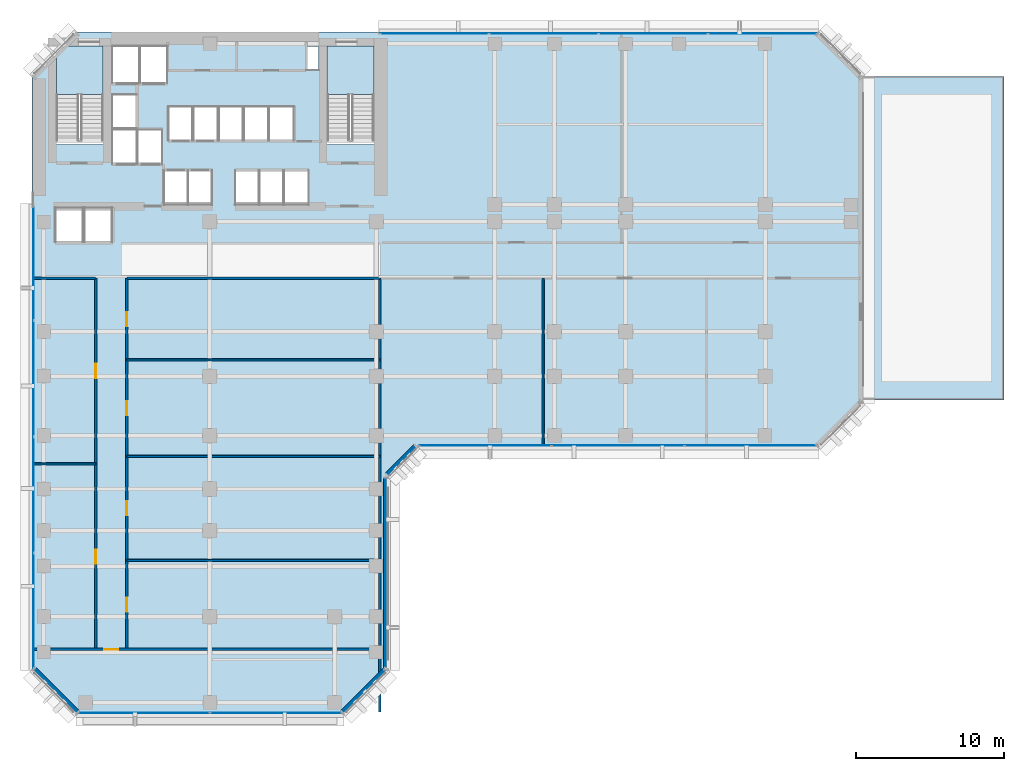
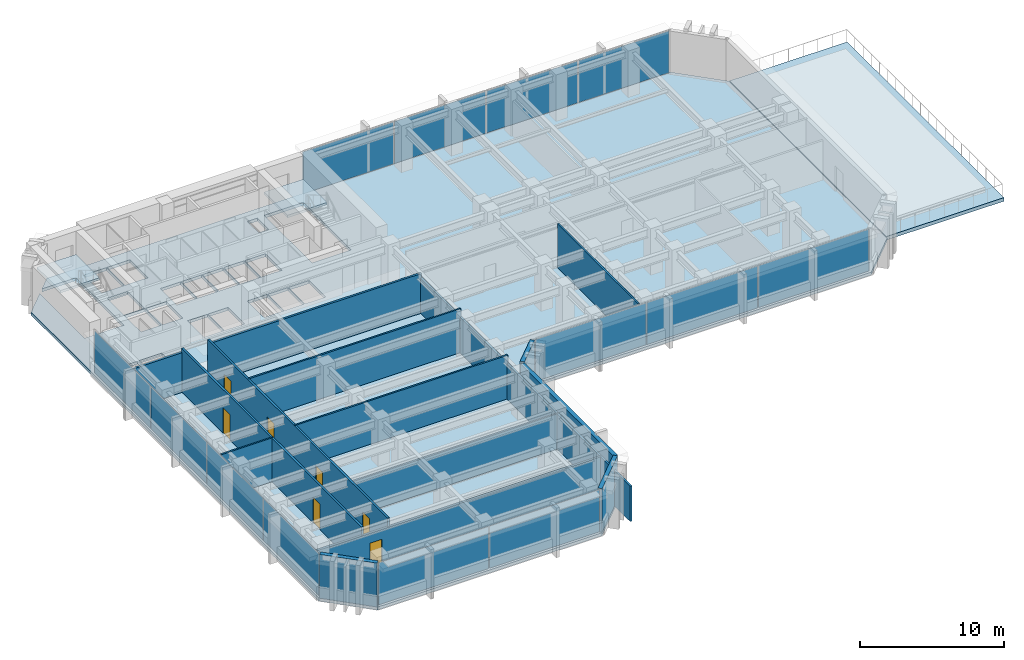
# One storey, part 6 of 13: 15 walls, 13 plates, 7 doors, 4 slabs, 7 openings, 6 elements without a shape of their own.
"""IFC4 building model written with IfcOpenShell, lengths in metres."""

import ifcopenshell
import ifcopenshell.guid

model = None  # the IFC model being written
_history = None  # IfcOwnerHistory: only IFC2X3 demands one
_inside = {}  # id of a spatial element -> (the spatial element, [elements in it])
_under = {}  # id of a project, library or spatial element -> (it, [spatial elements below it])
_declared = {}  # id of a project -> (the project, [libraries it declares])
_typed = {}  # id of a type object -> (the type object, [elements of that type])
_made_of = {}  # id of a material, layer set ... -> (it, [elements and type objects made of it])


def new_model(schema):
    """Start an empty IFC model of exactly this schema.

    Asked for "IFC4X3", IfcOpenShell would pick the latest addendum, in which some entities
    have other attributes; the version numbers below select the first issue.
    IFC2X3 requires an IfcOwnerHistory on every rooted entity: one is made here for all.
    """
    global model, _history
    if schema == "IFC4X3":
        model = ifcopenshell.file(schema_version=(4, 3, 0, 0))
    else:
        model = ifcopenshell.file(schema=schema)
    _inside.clear()
    _under.clear()
    _declared.clear()
    _typed.clear()
    _made_of.clear()
    _history = None
    if model.schema == "IFC2X3":
        org = make("IfcOrganization", Name="unknown")
        user = make(
            "IfcPersonAndOrganization",
            ThePerson=make("IfcPerson", FamilyName="unknown"),
            TheOrganization=org,
        )
        app = make(
            "IfcApplication",
            ApplicationDeveloper=org,
            Version="unknown",
            ApplicationFullName="unknown",
            ApplicationIdentifier="unknown",
        )
        _history = make(
            "IfcOwnerHistory",
            OwningUser=user,
            OwningApplication=app,
            ChangeAction="ADDED",
            CreationDate=0,
        )
    return model


def make(cls, **values):
    """One entity of the class cls with the attributes given. An attribute that is None is left unset."""
    return model.create_entity(
        cls, **{name: value for name, value in values.items() if value is not None}
    )


def rooted(cls, **values):
    """An entity with a GlobalId (a new one), such as an element, a storey or a relation."""
    return make(cls, GlobalId=ifcopenshell.guid.new(), OwnerHistory=_history, **values)


def si_unit(unit_type, name, prefix=None):
    """IfcSIUnit, for example si_unit("LENGTHUNIT", "METRE", prefix="MILLI")."""
    return make("IfcSIUnit", UnitType=unit_type, Prefix=prefix, Name=name)


def assignment(units):
    """IfcUnitAssignment: the units of a project."""
    return None if units is None else make("IfcUnitAssignment", Units=units)


def point(xyz):
    """IfcCartesianPoint."""
    return None if xyz is None else make("IfcCartesianPoint", Coordinates=xyz)


def direction(xyz):
    """IfcDirection."""
    return None if xyz is None else make("IfcDirection", DirectionRatios=xyz)


def frame(location, z_axis=None, x_axis=None):
    """IfcAxis2Placement3D, a coordinate frame: its origin and axes. An axis left out is left unset."""
    return make(
        "IfcAxis2Placement3D",
        Location=point(location),
        Axis=direction(z_axis),
        RefDirection=direction(x_axis),
    )


def frame_2d(location, x_axis=None):
    """IfcAxis2Placement2D, a coordinate frame in the plane: its origin and x axis."""
    return make(
        "IfcAxis2Placement2D", Location=point(location), RefDirection=direction(x_axis)
    )


def origin():
    """The frame at (0, 0, 0) with its axes left unset."""
    return frame((0.0, 0.0, 0.0))


def origin_2d():
    """The frame at (0, 0) in the plane with its x axis left unset."""
    return frame_2d((0.0, 0.0))


def place(relative_to, where):
    """IfcLocalPlacement: puts the frame where relative to a parent placement (None: the world)."""
    return make(
        "IfcLocalPlacement", PlacementRelTo=relative_to, RelativePlacement=where
    )


def context(
    kind, dimensions, precision=None, world=None, true_north=None, identifier=None
):
    """IfcGeometricRepresentationContext, for example the 3D "Model" context."""
    return make(
        "IfcGeometricRepresentationContext",
        ContextIdentifier=identifier,
        ContextType=kind,
        CoordinateSpaceDimension=dimensions,
        Precision=precision,
        WorldCoordinateSystem=world,
        TrueNorth=true_north,
    )


def subcontext(parent, identifier, kind, view, scale=None):
    """IfcGeometricRepresentationSubContext, for example "Body" below "Model"."""
    return make(
        "IfcGeometricRepresentationSubContext",
        ContextIdentifier=identifier,
        ContextType=kind,
        ParentContext=parent,
        TargetScale=scale,
        TargetView=view,
    )


def project(units=None, contexts=None):
    """IfcProject with its units and contexts."""
    return rooted(
        "IfcProject",
        Name="project",
        RepresentationContexts=contexts,
        UnitsInContext=assignment(units),
    )


def spatial(cls, under=None, at=None, **own):
    """A site, building, storey or space (cls), placed at a placement, below another one or the project."""
    s = rooted(cls, ObjectPlacement=at, **own)
    if under is not None:
        _under.setdefault(under.id(), (under, []))[1].append(s)
    return s


def polyline(points):
    """IfcPolyline through the points."""
    return make("IfcPolyline", Points=[point(p) for p in points])


def profile(cls, at=None, kind="AREA", **sizes):
    """A parametric profile (cls). Its sizes go by their IFC names, for example OverallWidth=200.0."""
    return make(cls, ProfileType=kind, Position=at, **sizes)


def rectangle(**sizes):
    """IfcRectangleProfileDef."""
    return profile("IfcRectangleProfileDef", **sizes)


def outline(outer, holes=None, kind="AREA"):
    """IfcArbitraryClosedProfileDef: a profile drawn as a closed curve; with holes, ...WithVoids."""
    if holes is None:
        return make("IfcArbitraryClosedProfileDef", ProfileType=kind, OuterCurve=outer)
    return make(
        "IfcArbitraryProfileDefWithVoids",
        ProfileType=kind,
        OuterCurve=outer,
        InnerCurves=holes,
    )


def extrude(swept, where, along, depth):
    """IfcExtrudedAreaSolid: the profile swept, set in the frame where, extruded along a direction by depth."""
    return make(
        "IfcExtrudedAreaSolid",
        SweptArea=swept,
        Position=where,
        ExtrudedDirection=direction(along),
        Depth=depth,
    )


def shape(context_of_items, identifier, shape_type, items):
    """IfcShapeRepresentation: the items that make up one representation, for example the "Body"."""
    return make(
        "IfcShapeRepresentation",
        ContextOfItems=context_of_items,
        RepresentationIdentifier=identifier,
        RepresentationType=shape_type,
        Items=items,
    )


def material(Name=None, Category=None):
    """IfcMaterial."""
    return make("IfcMaterial", Name=Name, Category=Category)


def layer(
    of_material, thickness, ventilated=None, Name=None, Category=None, Priority=None
):
    """IfcMaterialLayer: one layer of a wall or slab, of a material (None: an air gap)."""
    return make(
        "IfcMaterialLayer",
        Material=of_material,
        LayerThickness=thickness,
        IsVentilated=ventilated,
        Name=Name,
        Category=Category,
        Priority=Priority,
    )


def layer_set(layers, Name=None):
    """IfcMaterialLayerSet."""
    return make("IfcMaterialLayerSet", MaterialLayers=layers, LayerSetName=Name)


def made_of(thing, what):
    """Note that an element or type object is made of a material, layer set ...; save() writes the relation."""
    if what is not None:
        _made_of.setdefault(what.id(), (what, []))[1].append(thing)
    return thing


def type_object(cls, material=None, **own):
    """A type object (cls), such as IfcWallType, which elements share."""
    return made_of(rooted(cls, **own), material)


def element(
    cls,
    number,
    at=None,
    inside=None,
    cuts=None,
    type_object=None,
    material=None,
    context=None,
    identifier="Body",
    shape_type=None,
    held_by="IfcProductDefinitionShape",
    body=None,
    shapes=None,
    **own,
):
    """One element of the class cls, such as IfcWall. Its Tag is "e" and its number.

    at: its placement. inside: the storey or other place that contains it. cuts: it is an
    opening in that element (IfcRelVoidsElement). A single representation is given by context,
    identifier, shape_type and body (its items); several are given by shapes. held_by: the class
    of the entity that holds the representations. save() writes the other relations.
    """
    e = rooted(cls, Tag="e%d" % number, ObjectPlacement=at, **own)
    if body is not None:
        shapes = [shape(context, identifier, shape_type, body)]
    if shapes is not None:
        e.Representation = make(held_by, Representations=shapes)
    if inside is not None:
        _inside.setdefault(inside.id(), (inside, []))[1].append(e)
    if cuts is not None:
        rooted(
            "IfcRelVoidsElement", RelatingBuildingElement=cuts, RelatedOpeningElement=e
        )
    if type_object is not None:
        _typed.setdefault(type_object.id(), (type_object, []))[1].append(e)
    return made_of(e, material)


def fill(opening, filler):
    """IfcRelFillsElement: the door or window that sits in an opening."""
    return rooted(
        "IfcRelFillsElement",
        RelatingOpeningElement=opening,
        RelatedBuildingElement=filler,
    )


def aggregate(whole, parts):
    """IfcRelAggregates: a whole, such as a stair, and the parts it consists of."""
    return rooted("IfcRelAggregates", RelatingObject=whole, RelatedObjects=parts)


def save(model, path):
    """Write the relations noted so far, then the file.

    IfcRelAggregates (storeys below a building ...), IfcRelContainedInSpatialStructure (elements
    in a storey), IfcRelDefinesByType, IfcRelAssociatesMaterial and IfcRelDeclares: one each for
    every whole, place, type object, material and project.
    """
    for whole, parts in _under.values():
        aggregate(whole, parts)
    for where, things in _inside.values():
        rooted(
            "IfcRelContainedInSpatialStructure",
            RelatedElements=things,
            RelatingStructure=where,
        )
    for kind, things in _typed.values():
        rooted("IfcRelDefinesByType", RelatedObjects=things, RelatingType=kind)
    for what, things in _made_of.values():
        rooted("IfcRelAssociatesMaterial", RelatedObjects=things, RelatingMaterial=what)
    for by, libraries in _declared.values():
        rooted("IfcRelDeclares", RelatingContext=by, RelatedDefinitions=libraries)
    model.write(path)


model = new_model("IFC4")

# Units and contexts
model_context = context("Model", 3, precision=1e-05, world=origin(), true_north=direction((0.0, 1.0)))
body_context = subcontext(model_context, "Body", "Model", "MODEL_VIEW")
ifc_project = project(units=[si_unit("LENGTHUNIT", "METRE"), si_unit("AREAUNIT", "SQUARE_METRE"), si_unit("VOLUMEUNIT", "CUBIC_METRE"), si_unit("PLANEANGLEUNIT", "RADIAN"), si_unit("MASSUNIT", "GRAM", prefix="KILO")], contexts=[model_context])

# Site, building, storey
site_placement = place(None, origin())
site = spatial("IfcSite", under=ifc_project, at=site_placement, CompositionType="ELEMENT")
building_placement = place(site_placement, origin())
building = spatial("IfcBuilding", under=site, at=building_placement, Name="Kefirva Bronze Tower", CompositionType="ELEMENT")
storey_placement = place(building_placement, frame((0.0, 0.0, 30.360107421875)))
storey = spatial("IfcBuildingStorey", under=building, at=storey_placement, Name="L06", CompositionType="ELEMENT", Elevation=30.360107421875)

# Slab
ifc_material_1 = material(Name="Concrete C40/50", Category="concrete")
ifc_layer_1 = layer(ifc_material_1, 0.300048828125, Name="Concrete C40/50")
ifc_layer_set_1 = layer_set([ifc_layer_1], Name="Concrete C40/50")
slab_type_1 = type_object("IfcSlabType", Name="RC Podium Outdoor Terrace Slab 300mm", PredefinedType="ROOF", material=ifc_layer_set_1)
slab_1_placement = place(storey_placement, frame((0.0, 0.0, -0.300048828125)))
element("IfcSlab", 1, at=slab_1_placement, inside=storey, type_object=slab_type_1, Name="L06 Planted Sky-Garden Terrace Slab", PredefinedType="ROOF", context=body_context, shape_type="SweptSolid", body=[
    extrude(outline(polyline([(56.050048828125, 21.199951171875), (65.5, 21.199951171875), (65.5, 43.0), (56.050048828125, 43.0), (56.050048828125, 21.199951171875)])), origin(), (0.0, 0.0, 1.0), 0.300048828125),
])

# Stair, slab
stair_type = type_object("IfcStairType", Name="RC Dogleg Protected Stair 24R", PredefinedType="HALF_TURN_STAIR", material=ifc_material_1)
stair_1_placement = place(storey_placement, origin())
stair_1 = element("IfcStair", 2, at=stair_1_placement, inside=storey, type_object=stair_type, Name="L06 Protected Exit Stair 1", PredefinedType="HALF_TURN_STAIR")
ifc_layer_2 = layer(ifc_material_1, 0.199951171875, Name="Concrete C40/50")
ifc_layer_set_2 = layer_set([ifc_layer_2], Name="Concrete C40/50")
slab_type_2 = type_object("IfcSlabType", Name="RC Stair Landing Slab 200mm", PredefinedType="LANDING", material=ifc_layer_set_2)
slab_2_placement = place(storey_placement, frame((0.0, 0.0, 1.77978515625)))
slab_2 = element("IfcSlab", 3, at=slab_2_placement, type_object=slab_type_2, Name="ST-1 landing 1", PredefinedType="LANDING", context=body_context, shape_type="SweptSolid", body=[
    extrude(outline(polyline([(4.800048828125, 41.780029296875), (4.800048828125, 45.050048828125), (1.64990234375, 45.050048828125), (1.64990234375, 41.780029296875), (4.800048828125, 41.780029296875)])), origin(), (0.0, 0.0, 1.0), 0.2001953125),
])
aggregate(stair_1, [slab_2])

stair_2_placement = place(storey_placement, origin())
stair_2 = element("IfcStair", 4, at=stair_2_placement, inside=storey, type_object=stair_type, Name="L06 Protected Exit Stair 2", PredefinedType="HALF_TURN_STAIR")
slab_3_placement = place(storey_placement, frame((0.0, 0.0, 1.77978515625)))
slab_3 = element("IfcSlab", 5, at=slab_3_placement, type_object=slab_type_2, Name="ST-2 landing 1", PredefinedType="LANDING", context=body_context, shape_type="SweptSolid", body=[
    extrude(outline(polyline([(23.050048828125, 41.780029296875), (23.050048828125, 45.050048828125), (19.89990234375, 45.050048828125), (19.89990234375, 41.780029296875), (23.050048828125, 41.780029296875)])), origin(), (0.0, 0.0, 1.0), 0.2001953125),
])
aggregate(stair_2, [slab_3])

# Slab
ifc_layer_3 = layer(ifc_material_1, 0.25, Name="Concrete C40/50")
ifc_layer_set_3 = layer_set([ifc_layer_3], Name="Concrete C40/50")
slab_type_3 = type_object("IfcSlabType", Name="RC Tower Floor Slab 250mm", PredefinedType="FLOOR", material=ifc_layer_set_3)
slab_4_placement = place(storey_placement, frame((0.0, 0.0, -0.25)))
element("IfcSlab", 6, at=slab_4_placement, inside=storey, type_object=slab_type_3, Name="L06 Structural Floor Slab", PredefinedType="FLOOR", context=body_context, shape_type="SweptSolid", body=[
    extrude(outline(polyline([(0.0, 3.0), (0.0, 43.0), (1.64990234375, 44.64990234375), (1.64990234375, 38.39990234375), (4.800048828125, 38.39990234375), (4.800048828125, 45.050048828125), (2.050048828125, 45.050048828125), (3.0, 46.0), (53.0, 46.0), (56.0, 43.0), (56.0, 21.0), (53.0, 18.0), (26.0, 18.0), (24.0, 16.0), (24.0, 3.0), (21.0, 0.0), (3.0, 0.0), (0.0, 3.0)]), holes=[polyline([(19.89990234375, 38.39990234375), (23.050048828125, 38.39990234375), (23.050048828125, 45.050048828125), (19.89990234375, 45.050048828125), (19.89990234375, 38.39990234375)]), polyline([(18.52001953125, 43.419921875), (19.320068359375, 43.419921875), (19.320068359375, 45.0), (18.52001953125, 45.0), (18.52001953125, 43.419921875)]), polyline([(17.0, 34.35009765625), (18.64990234375, 34.35009765625), (18.64990234375, 36.64990234375), (17.0, 36.64990234375), (17.0, 34.35009765625)]), polyline([(17.64990234375, 38.679931640625), (17.64990234375, 40.97998046875), (16.0, 40.97998046875), (16.0, 38.679931640625), (17.64990234375, 38.679931640625)]), polyline([(16.949951171875, 34.35009765625), (16.949951171875, 36.64990234375), (15.35009765625, 36.64990234375), (15.35009765625, 34.35009765625), (16.949951171875, 34.35009765625)]), polyline([(15.929931640625, 38.679931640625), (15.929931640625, 40.97998046875), (14.300048828125, 40.97998046875), (14.300048828125, 38.679931640625), (15.929931640625, 38.679931640625)]), polyline([(15.300048828125, 34.35009765625), (15.300048828125, 36.64990234375), (13.699951171875, 36.64990234375), (13.699951171875, 34.35009765625), (15.300048828125, 34.35009765625)]), polyline([(14.22998046875, 38.679931640625), (14.22998046875, 40.97998046875), (12.60009765625, 40.97998046875), (12.60009765625, 38.679931640625), (14.22998046875, 38.679931640625)]), polyline([(10.89990234375, 38.679931640625), (12.530029296875, 38.679931640625), (12.530029296875, 40.97998046875), (10.89990234375, 40.97998046875), (10.89990234375, 38.679931640625)]), polyline([(12.139892578125, 34.35009765625), (12.139892578125, 36.64990234375), (10.5400390625, 36.64990234375), (10.5400390625, 34.35009765625), (12.139892578125, 34.35009765625)]), polyline([(10.830078125, 38.679931640625), (10.830078125, 40.97998046875), (9.199951171875, 40.97998046875), (9.199951171875, 38.679931640625), (10.830078125, 38.679931640625)]), polyline([(10.5, 34.35009765625), (10.5, 36.64990234375), (8.89990234375, 36.64990234375), (8.89990234375, 34.35009765625), (10.5, 34.35009765625)]), polyline([(7.300048828125, 42.550048828125), (9.1201171875, 42.550048828125), (9.1201171875, 45.050048828125), (7.300048828125, 45.050048828125), (7.300048828125, 42.550048828125)]), polyline([(7.139892578125, 37.10009765625), (8.780029296875, 37.10009765625), (8.780029296875, 39.39990234375), (7.139892578125, 39.39990234375), (7.139892578125, 37.10009765625)]), polyline([(5.419921875, 42.550048828125), (7.239990234375, 42.550048828125), (7.239990234375, 45.050048828125), (5.419921875, 45.050048828125), (5.419921875, 42.550048828125)]), polyline([(7.06005859375, 39.47998046875), (7.06005859375, 41.780029296875), (5.419921875, 41.780029296875), (5.419921875, 39.47998046875), (7.06005859375, 39.47998046875)]), polyline([(5.419921875, 37.10009765625), (7.06005859375, 37.10009765625), (7.06005859375, 39.39990234375), (5.419921875, 39.39990234375), (5.419921875, 37.10009765625)]), polyline([(5.39990234375, 31.85009765625), (5.39990234375, 34.14990234375), (3.550048828125, 34.14990234375), (3.550048828125, 31.85009765625), (5.39990234375, 31.85009765625)]), polyline([(3.449951171875, 31.85009765625), (3.449951171875, 34.14990234375), (1.60009765625, 34.14990234375), (1.60009765625, 31.85009765625), (3.449951171875, 31.85009765625)])]), origin(), (0.0, 0.0, 1.0), 0.25),
])

# Curtain wall, plates
ifc_material_2 = material(Name="Bronze anodised aluminium", Category="aluminium")
ifc_layer_4 = layer(ifc_material_2, 0.199951171875, Name="Bronze anodised aluminium")
ifc_layer_set_4 = layer_set([ifc_layer_4], Name="Bronze anodised aluminium")
curtain_wall_type = type_object("IfcCurtainWallType", Name="Unitised Bronze Ribbon Curtain Wall Zone 1", PredefinedType="USERDEFINED", material=ifc_layer_set_4)
curtain_wall_1_placement = place(storey_placement, origin())
curtain_wall_1 = element("IfcCurtainWall", 7, at=curtain_wall_1_placement, inside=storey, type_object=curtain_wall_type, Name="L06 Curtain Wall 1", ObjectType="UNITISED CURTAIN WALL", PredefinedType="USERDEFINED")
ifc_material_3 = material(Name="Laminated low-E double glazing", Category="glass")
ifc_layer_5 = layer(ifc_material_3, 0.031982421875, Name="Laminated low-E double glazing")
ifc_layer_set_5 = layer_set([ifc_layer_5], Name="Laminated low-E double glazing")
plate_type = type_object("IfcPlateType", Name="Solar-Control Low-E Vision Panel 32mm", PredefinedType="CURTAIN_PANEL", material=ifc_layer_set_5)
plate_1_placement = place(storey_placement, frame((7.546142578125, 0.1201171875, 0.074951171875), z_axis=(0.0, 0.0, 1.0), x_axis=(1.0, 0.0, 0.0)))
plate_1 = element("IfcPlate", 8, at=plate_1_placement, type_object=plate_type, Name="CW-01 panel 1.1", PredefinedType="CURTAIN_PANEL", context=body_context, shape_type="SweptSolid", body=[
    extrude(rectangle(XDim=8.83251953125, YDim=0.031982421875, at=origin_2d()), origin(), (0.0, 0.0, 1.0), 3.56005859375),
])
plate_2_placement = place(storey_placement, frame((16.453857421875, 0.1201171875, 0.074951171875), z_axis=(0.0, 0.0, 1.0), x_axis=(1.0, 0.0, 0.0)))
plate_2 = element("IfcPlate", 9, at=plate_2_placement, type_object=plate_type, Name="CW-01 panel 2.1", PredefinedType="CURTAIN_PANEL", context=body_context, shape_type="SweptSolid", body=[
    extrude(rectangle(XDim=8.83251953125, YDim=0.031982421875, at=origin_2d()), origin(), (0.0, 0.0, 1.0), 3.56005859375),
])
aggregate(curtain_wall_1, [plate_1, plate_2])

curtain_wall_2_placement = place(storey_placement, origin())
curtain_wall_2 = element("IfcCurtainWall", 10, at=curtain_wall_2_placement, inside=storey, type_object=curtain_wall_type, Name="L06 Curtain Wall 2", ObjectType="UNITISED CURTAIN WALL", PredefinedType="USERDEFINED")
plate_3_placement = place(storey_placement, frame((30.555419921875, 18.1201171875, 0.074951171875), z_axis=(0.0, 0.0, 1.0), x_axis=(1.0, 0.0, 0.0)))
plate_3 = element("IfcPlate", 11, at=plate_3_placement, type_object=plate_type, Name="CW-01 panel 1.1", PredefinedType="CURTAIN_PANEL", context=body_context, shape_type="SweptSolid", body=[
    extrude(rectangle(XDim=8.850830078125, YDim=0.031982421875, at=origin_2d()), origin(), (0.0, 0.0, 1.0), 3.56005859375),
])
plate_4_placement = place(storey_placement, frame((39.5, 18.1201171875, 0.074951171875), z_axis=(0.0, 0.0, 1.0), x_axis=(1.0, 0.0, 0.0)))
plate_4 = element("IfcPlate", 12, at=plate_4_placement, type_object=plate_type, Name="CW-01 panel 2.1", PredefinedType="CURTAIN_PANEL", context=body_context, shape_type="SweptSolid", body=[
    extrude(rectangle(XDim=8.888427734375, YDim=0.031982421875, at=origin_2d()), origin(), (0.0, 0.0, 1.0), 3.56005859375),
])
plate_5_placement = place(storey_placement, frame((48.444580078125, 18.1201171875, 0.074951171875), z_axis=(0.0, 0.0, 1.0), x_axis=(1.0, 0.0, 0.0)))
plate_5 = element("IfcPlate", 13, at=plate_5_placement, type_object=plate_type, Name="CW-01 panel 3.1", PredefinedType="CURTAIN_PANEL", context=body_context, shape_type="SweptSolid", body=[
    extrude(rectangle(XDim=8.850830078125, YDim=0.031982421875, at=origin_2d()), origin(), (0.0, 0.0, 1.0), 3.56005859375),
])
aggregate(curtain_wall_2, [plate_3, plate_4, plate_5])

curtain_wall_3_placement = place(storey_placement, origin())
curtain_wall_3 = element("IfcCurtainWall", 14, at=curtain_wall_3_placement, inside=storey, type_object=curtain_wall_type, Name="L06 Curtain Wall 3", ObjectType="UNITISED CURTAIN WALL", PredefinedType="USERDEFINED")
plate_6_placement = place(storey_placement, frame((49.233642578125, 45.8798828125, 0.074951171875), z_axis=(0.0, 0.0, 1.0), x_axis=(-1.0, 0.0, 0.0)))
plate_6 = element("IfcPlate", 15, at=plate_6_placement, type_object=plate_type, Name="CW-01 panel 1.1", PredefinedType="CURTAIN_PANEL", context=body_context, shape_type="SweptSolid", body=[
    extrude(rectangle(XDim=7.2724609375, YDim=0.031982421875, at=origin_2d()), origin(), (0.0, 0.0, 1.0), 3.56005859375),
])
plate_7_placement = place(storey_placement, frame((41.867431640625, 45.8798828125, 0.074951171875), z_axis=(0.0, 0.0, 1.0), x_axis=(-1.0, 0.0, 0.0)))
plate_7 = element("IfcPlate", 16, at=plate_7_placement, type_object=plate_type, Name="CW-01 panel 2.1", PredefinedType="CURTAIN_PANEL", context=body_context, shape_type="SweptSolid", body=[
    extrude(rectangle(XDim=7.31005859375, YDim=0.031982421875, at=origin_2d()), origin(), (0.0, 0.0, 1.0), 3.56005859375),
])
plate_8_placement = place(storey_placement, frame((34.482421875, 45.8798828125, 0.074951171875), z_axis=(0.0, 0.0, 1.0), x_axis=(-1.0, 0.0, 0.0)))
plate_8 = element("IfcPlate", 17, at=plate_8_placement, type_object=plate_type, Name="CW-01 panel 3.1", PredefinedType="CURTAIN_PANEL", context=body_context, shape_type="SweptSolid", body=[
    extrude(rectangle(XDim=7.31005859375, YDim=0.031982421875, at=origin_2d()), origin(), (0.0, 0.0, 1.0), 3.56005859375),
])
plate_9_placement = place(storey_placement, frame((27.1162109375, 45.8798828125, 0.074951171875), z_axis=(0.0, 0.0, 1.0), x_axis=(-1.0, 0.0, 0.0)))
plate_9 = element("IfcPlate", 18, at=plate_9_placement, type_object=plate_type, Name="CW-01 panel 4.1", PredefinedType="CURTAIN_PANEL", context=body_context, shape_type="SweptSolid", body=[
    extrude(rectangle(XDim=7.2724609375, YDim=0.031982421875, at=origin_2d()), origin(), (0.0, 0.0, 1.0), 3.56005859375),
])
aggregate(curtain_wall_3, [plate_6, plate_7, plate_8, plate_9])

curtain_wall_4_placement = place(storey_placement, origin())
curtain_wall_4 = element("IfcCurtainWall", 19, at=curtain_wall_4_placement, inside=storey, type_object=curtain_wall_type, Name="L06 Curtain Wall 4", ObjectType="UNITISED CURTAIN WALL", PredefinedType="USERDEFINED")
plate_10_placement = place(storey_placement, frame((0.1201171875, 30.458740234375, 0.074951171875), z_axis=(0.0, 0.0, 1.0), x_axis=(0.0, -1.0, 0.0)))
plate_10 = element("IfcPlate", 20, at=plate_10_placement, type_object=plate_type, Name="CW-01 panel 1.1", PredefinedType="CURTAIN_PANEL", context=body_context, shape_type="SweptSolid", body=[
    extrude(rectangle(XDim=7.722412109375, YDim=0.031982421875, at=origin_2d()), origin(), (0.0, 0.0, 1.0), 3.56005859375),
])
plate_11_placement = place(storey_placement, frame((0.1201171875, 22.642578125, 0.074951171875), z_axis=(0.0, 0.0, 1.0), x_axis=(0.0, -1.0, 0.0)))
plate_11 = element("IfcPlate", 21, at=plate_11_placement, type_object=plate_type, Name="CW-01 panel 2.1", PredefinedType="CURTAIN_PANEL", context=body_context, shape_type="SweptSolid", body=[
    extrude(rectangle(XDim=7.760009765625, YDim=0.031982421875, at=origin_2d()), origin(), (0.0, 0.0, 1.0), 3.56005859375),
])
plate_12_placement = place(storey_placement, frame((0.1201171875, 14.8076171875, 0.074951171875), z_axis=(0.0, 0.0, 1.0), x_axis=(0.0, -1.0, 0.0)))
plate_12 = element("IfcPlate", 22, at=plate_12_placement, type_object=plate_type, Name="CW-01 panel 3.1", PredefinedType="CURTAIN_PANEL", context=body_context, shape_type="SweptSolid", body=[
    extrude(rectangle(XDim=7.760009765625, YDim=0.031982421875, at=origin_2d()), origin(), (0.0, 0.0, 1.0), 3.56005859375),
])
plate_13_placement = place(storey_placement, frame((0.1201171875, 6.9912109375, 0.074951171875), z_axis=(0.0, 0.0, 1.0), x_axis=(0.0, -1.0, 0.0)))
plate_13 = element("IfcPlate", 23, at=plate_13_placement, type_object=plate_type, Name="CW-01 panel 4.1", PredefinedType="CURTAIN_PANEL", context=body_context, shape_type="SweptSolid", body=[
    extrude(rectangle(XDim=7.722412109375, YDim=0.031982421875, at=origin_2d()), origin(), (0.0, 0.0, 1.0), 3.56005859375),
])
aggregate(curtain_wall_4, [plate_10, plate_11, plate_12, plate_13])

# Walls
ifc_material_4 = material(Name="Gypsum acoustic partition")
ifc_layer_6 = layer(ifc_material_4, 0.1298828125, Name="Gypsum acoustic partition")
ifc_layer_set_6 = layer_set([ifc_layer_6], Name="Gypsum acoustic partition")
wall_type_1 = type_object("IfcWallType", Name="Acoustic Office Partition 130mm", PredefinedType="PARTITIONING", material=ifc_layer_set_6)
wall_1_placement = place(storey_placement, frame((0.18994140625, 16.89501953125, 0.0), z_axis=(0.0, 0.0, 1.0), x_axis=(1.0, 0.0, 0.0)))
element("IfcWall", 24, at=wall_1_placement, inside=storey, type_object=wall_type_1, Name="L06 Partition W-L06-SWD1", PredefinedType="PARTITIONING", context=body_context, shape_type="SweptSolid", body=[
    extrude(rectangle(XDim=4.110107421875, YDim=0.1298828125, at=frame_2d((2.05517578125, 0.0))), origin(), (0.0, 0.0, 1.0), 3.7099609375),
])
wall_2_placement = place(storey_placement, frame((6.39990234375, 10.392333984375, 0.0), z_axis=(0.0, 0.0, 1.0), x_axis=(1.0, 0.0, 0.0)))
element("IfcWall", 25, at=wall_2_placement, inside=storey, type_object=wall_type_1, Name="L06 Partition W-L06-SED1", PredefinedType="PARTITIONING", context=body_context, shape_type="SweptSolid", body=[
    extrude(rectangle(XDim=17.050048828125, YDim=0.1298828125, at=frame_2d((8.52490234375, 0.0))), origin(), (0.0, 0.0, 1.0), 2.994873046875),
])
for number, where, z_axis, x_axis, name in (
    (26, (6.39990234375, 17.395263671875, 0.0), (0.0, 0.0, 1.0), (1.0, 0.0, 0.0), "L06 Partition W-L06-SED2"),
    (27, (6.39990234375, 23.897705078125, 0.0), (0.0, 0.0, 1.0), (1.0, 0.0, 0.0), "L06 Partition W-L06-SED3"),
):
    element("IfcWall", number, at=place(storey_placement, frame(where, z_axis=z_axis, x_axis=x_axis)), inside=storey, type_object=wall_type_1, Name=name, PredefinedType="PARTITIONING", context=body_context, shape_type="SweptSolid", body=[
        extrude(rectangle(XDim=17.050048828125, YDim=0.1298828125, at=frame_2d((8.52490234375, 0.0))), origin(), (0.0, 0.0, 1.0), 3.7099609375),
    ])
wall_3_placement = place(storey_placement, frame((34.452392578125, 18.18994140625, 0.0), z_axis=(0.0, 0.0, 1.0), x_axis=(0.0, 1.0, 0.0)))
element("IfcWall", 28, at=wall_3_placement, inside=storey, type_object=wall_type_1, Name="L06 Partition W-L06-ESD1", PredefinedType="PARTITIONING", context=body_context, shape_type="SweptSolid", body=[
    extrude(rectangle(XDim=11.2099609375, YDim=0.1298828125, at=frame_2d((5.60498046875, 0.0))), origin(), (0.0, 0.0, 1.0), 3.7099609375),
])
ifc_material_5 = material(Name="Precast concrete C40/50", Category="concrete")
ifc_layer_7 = layer(ifc_material_5, 0.320068359375, Name="Precast concrete C40/50")
ifc_layer_set_7 = layer_set([ifc_layer_7], Name="Precast concrete C40/50")
wall_type_2 = type_object("IfcWallType", Name="Precast Insulated Exterior Wall 320mm", PredefinedType="SOLIDWALL", material=ifc_layer_set_7)
wall_4_placement = place(storey_placement, frame((20.92578125, 0.152099609375, 0.0), z_axis=(0.0, 0.0, 1.0), x_axis=(0.707106781187, 0.707106781187, 0.0)))
element("IfcWall", 29, at=wall_4_placement, inside=storey, type_object=wall_type_2, Name="L06 Exterior Facade Wall 1", PredefinedType="SOLIDWALL", context=body_context, shape_type="SweptSolid", body=[
    extrude(rectangle(XDim=4.132568359375, YDim=0.320068359375, at=frame_2d((2.06640625, 0.0))), origin(), (0.0, 0.0, 1.0), 3.7099609375),
])
wall_5_placement = place(storey_placement, frame((23.840087890625, 3.054931640625, 0.0), z_axis=(0.0, 0.0, 1.0), x_axis=(0.0, 1.0, 0.0)))
element("IfcWall", 30, at=wall_5_placement, inside=storey, type_object=wall_type_2, Name="L06 Exterior Facade Wall 2", PredefinedType="SOLIDWALL", context=body_context, shape_type="SweptSolid", body=[
    extrude(rectangle(XDim=12.89013671875, YDim=0.320068359375, at=frame_2d((6.445068359375, 0.0))), origin(), (0.0, 0.0, 1.0), 3.7099609375),
])
wall_6_placement = place(storey_placement, frame((23.92578125, 16.152099609375, 0.0), z_axis=(0.0, 0.0, 1.0), x_axis=(0.707106781187, 0.707106781187, 0.0)))
element("IfcWall", 31, at=wall_6_placement, inside=storey, type_object=wall_type_2, Name="L06 Exterior Facade Wall 3", PredefinedType="SOLIDWALL", context=body_context, shape_type="SweptSolid", body=[
    extrude(rectangle(XDim=2.71826171875, YDim=0.320068359375, at=frame_2d((1.359130859375, 0.0))), origin(), (0.0, 0.0, 1.0), 3.7099609375),
])
wall_7_placement = place(storey_placement, frame((0.152099609375, 3.07421875, 0.0), z_axis=(0.0, 0.0, 1.0), x_axis=(0.707106781187, -0.707106781187, 0.0)))
element("IfcWall", 32, at=wall_7_placement, inside=storey, type_object=wall_type_2, Name="L06 Exterior Facade Wall 8", PredefinedType="SOLIDWALL", context=body_context, shape_type="SweptSolid", body=[
    extrude(rectangle(XDim=4.132568359375, YDim=0.320068359375, at=frame_2d((2.06640625, 0.0))), origin(), (0.0, 0.0, 1.0), 3.7099609375),
])

# Wall, openings, doors
ifc_layer_8 = layer(ifc_material_4, 0.159912109375, Name="Gypsum acoustic partition")
ifc_layer_set_8 = layer_set([ifc_layer_8], Name="Gypsum acoustic partition")
wall_type_3 = type_object("IfcWallType", Name="Protected Corridor Partition 160mm", PredefinedType="PARTITIONING", material=ifc_layer_set_8)
wall_8_placement = place(storey_placement, frame((4.300048828125, 4.389892578125, 0.0), z_axis=(0.0, 0.0, 1.0), x_axis=(0.0, 1.0, 0.0)))
wall_8 = element("IfcWall", 33, at=wall_8_placement, inside=storey, type_object=wall_type_3, Name="L06 Partition W-L06-SWCORW", PredefinedType="PARTITIONING", context=body_context, shape_type="SweptSolid", body=[
    extrude(rectangle(XDim=25.010009765625, YDim=0.159912109375, at=frame_2d((12.5048828125, 0.0))), origin(), (0.0, 0.0, 1.0), 3.7099609375),
])
opening_1_placement = place(wall_8_placement, frame((6.7275390625, 0.0, 0.0), z_axis=(0.0, 0.0, 1.0), x_axis=(-1.0, 0.0, 0.0)))
opening_1 = element("IfcOpeningElement", 34, at=opening_1_placement, cuts=wall_8, Name="Opening L06-D-SW1", PredefinedType="OPENING", context=body_context, shape_type="SweptSolid", body=[
    extrude(rectangle(XDim=0.949951171875, YDim=2.14990234375, at=frame_2d((0.47509765625, 1.074951171875))), frame((0.0, 0.08984375, 0.0), z_axis=(0.0, -1.0, 0.0), x_axis=(1.0, 0.0, 0.0)), (0.0, 0.0, 1.0), 0.179931640625),
])
opening_2_placement = place(wall_8_placement, frame((19.232421875, 0.0, 0.0), z_axis=(0.0, 0.0, 1.0), x_axis=(-1.0, 0.0, 0.0)))
opening_2 = element("IfcOpeningElement", 35, at=opening_2_placement, cuts=wall_8, Name="Opening L06-D-SW2", PredefinedType="OPENING", context=body_context, shape_type="SweptSolid", body=[
    extrude(rectangle(XDim=0.949951171875, YDim=2.14990234375, at=frame_2d((0.47509765625, 1.074951171875))), frame((0.0, 0.08984375, 0.0), z_axis=(0.0, -1.0, 0.0), x_axis=(1.0, 0.0, 0.0)), (0.0, 0.0, 1.0), 0.179931640625),
])
ifc_material_6 = material(Name="Acoustic hardwood oak", Category="wood")
door_type = type_object("IfcDoorType", Name="Office & Meeting Room Door 950x2150", OperationType="NOTDEFINED", PredefinedType="DOOR", material=ifc_material_6)
door_1_placement = place(opening_1_placement, origin())
door_1 = element("IfcDoor", 36, at=door_1_placement, inside=storey, type_object=door_type, Name="Door L06-D-SW1", OperationType="SINGLE_SWING_RIGHT", OverallHeight=2.14990234375, OverallWidth=0.949951171875, PredefinedType="DOOR", context=body_context, shape_type="SweptSolid", body=[
    extrude(rectangle(XDim=0.949951171875, YDim=2.14990234375, at=frame_2d((0.47509765625, 1.074951171875))), frame((0.0, 0.02490234375, 0.0), z_axis=(0.0, -1.0, 0.0), x_axis=(1.0, 0.0, 0.0)), (0.0, 0.0, 1.0), 0.050048828125),
])
fill(opening_1, door_1)
door_2_placement = place(opening_2_placement, origin())
door_2 = element("IfcDoor", 37, at=door_2_placement, inside=storey, type_object=door_type, Name="Door L06-D-SW2", OperationType="SINGLE_SWING_LEFT", OverallHeight=2.14990234375, OverallWidth=0.949951171875, PredefinedType="DOOR", context=body_context, shape_type="SweptSolid", body=[
    extrude(rectangle(XDim=0.949951171875, YDim=2.14990234375, at=frame_2d((0.47509765625, 1.074951171875))), frame((0.0, 0.02490234375, 0.0), z_axis=(0.0, -1.0, 0.0), x_axis=(1.0, 0.0, 0.0)), (0.0, 0.0, 1.0), 0.050048828125),
])
fill(opening_2, door_2)

wall_9_placement = place(storey_placement, frame((6.39990234375, 4.389892578125, 0.0), z_axis=(0.0, 0.0, 1.0), x_axis=(0.0, 1.0, 0.0)))
wall_9 = element("IfcWall", 38, at=wall_9_placement, inside=storey, type_object=wall_type_3, Name="L06 Partition W-L06-SECORE", PredefinedType="PARTITIONING", context=body_context, shape_type="SweptSolid", body=[
    extrude(rectangle(XDim=25.010009765625, YDim=0.159912109375, at=frame_2d((12.5048828125, 0.0))), origin(), (0.0, 0.0, 1.0), 3.7099609375),
])
opening_3_placement = place(wall_9_placement, frame((2.526123046875, 0.0, 0.0)))
opening_3 = element("IfcOpeningElement", 39, at=opening_3_placement, cuts=wall_9, Name="Opening L06-D-SE1", PredefinedType="OPENING", context=body_context, shape_type="SweptSolid", body=[
    extrude(rectangle(XDim=0.949951171875, YDim=2.14990234375, at=frame_2d((0.47509765625, 1.074951171875))), frame((0.0, 0.08984375, 0.0), z_axis=(0.0, -1.0, 0.0), x_axis=(1.0, 0.0, 0.0)), (0.0, 0.0, 1.0), 0.179931640625),
])
opening_4_placement = place(wall_9_placement, frame((9.02880859375, 0.0, 0.0)))
opening_4 = element("IfcOpeningElement", 40, at=opening_4_placement, cuts=wall_9, Name="Opening L06-D-SE2", PredefinedType="OPENING", context=body_context, shape_type="SweptSolid", body=[
    extrude(rectangle(XDim=0.949951171875, YDim=2.14990234375, at=frame_2d((0.47509765625, 1.074951171875))), frame((0.0, 0.08984375, 0.0), z_axis=(0.0, -1.0, 0.0), x_axis=(1.0, 0.0, 0.0)), (0.0, 0.0, 1.0), 0.179931640625),
])
opening_5_placement = place(wall_9_placement, frame((15.781494140625, 0.0, 0.0)))
opening_5 = element("IfcOpeningElement", 41, at=opening_5_placement, cuts=wall_9, Name="Opening L06-D-SE3", PredefinedType="OPENING", context=body_context, shape_type="SweptSolid", body=[
    extrude(rectangle(XDim=0.949951171875, YDim=2.14990234375, at=frame_2d((0.47509765625, 1.074951171875))), frame((0.0, 0.08984375, 0.0), z_axis=(0.0, -1.0, 0.0), x_axis=(1.0, 0.0, 0.0)), (0.0, 0.0, 1.0), 0.179931640625),
])
opening_6_placement = place(wall_9_placement, frame((21.783935546875, 0.0, 0.0)))
opening_6 = element("IfcOpeningElement", 42, at=opening_6_placement, cuts=wall_9, Name="Opening L06-D-SE4", PredefinedType="OPENING", context=body_context, shape_type="SweptSolid", body=[
    extrude(rectangle(XDim=0.949951171875, YDim=2.14990234375, at=frame_2d((0.47509765625, 1.074951171875))), frame((0.0, 0.08984375, 0.0), z_axis=(0.0, -1.0, 0.0), x_axis=(1.0, 0.0, 0.0)), (0.0, 0.0, 1.0), 0.179931640625),
])
door_3_placement = place(opening_3_placement, origin())
door_3 = element("IfcDoor", 43, at=door_3_placement, inside=storey, type_object=door_type, Name="Door L06-D-SE1", OperationType="SINGLE_SWING_RIGHT", OverallHeight=2.14990234375, OverallWidth=0.949951171875, PredefinedType="DOOR", context=body_context, shape_type="SweptSolid", body=[
    extrude(rectangle(XDim=0.949951171875, YDim=2.14990234375, at=frame_2d((0.47509765625, 1.074951171875))), frame((0.0, 0.02490234375, 0.0), z_axis=(0.0, -1.0, 0.0), x_axis=(1.0, 0.0, 0.0)), (0.0, 0.0, 1.0), 0.050048828125),
])
fill(opening_3, door_3)
door_4_placement = place(opening_4_placement, origin())
door_4 = element("IfcDoor", 44, at=door_4_placement, inside=storey, type_object=door_type, Name="Door L06-D-SE2", OperationType="SINGLE_SWING_LEFT", OverallHeight=2.14990234375, OverallWidth=0.949951171875, PredefinedType="DOOR", context=body_context, shape_type="SweptSolid", body=[
    extrude(rectangle(XDim=0.949951171875, YDim=2.14990234375, at=frame_2d((0.47509765625, 1.074951171875))), frame((0.0, 0.02490234375, 0.0), z_axis=(0.0, -1.0, 0.0), x_axis=(1.0, 0.0, 0.0)), (0.0, 0.0, 1.0), 0.050048828125),
])
fill(opening_4, door_4)
door_5_placement = place(opening_5_placement, origin())
door_5 = element("IfcDoor", 45, at=door_5_placement, inside=storey, type_object=door_type, Name="Door L06-D-SE3", OperationType="SINGLE_SWING_RIGHT", OverallHeight=2.14990234375, OverallWidth=0.949951171875, PredefinedType="DOOR", context=body_context, shape_type="SweptSolid", body=[
    extrude(rectangle(XDim=0.949951171875, YDim=2.14990234375, at=frame_2d((0.47509765625, 1.074951171875))), frame((0.0, 0.02490234375, 0.0), z_axis=(0.0, -1.0, 0.0), x_axis=(1.0, 0.0, 0.0)), (0.0, 0.0, 1.0), 0.050048828125),
])
fill(opening_5, door_5)
door_6_placement = place(opening_6_placement, origin())
door_6 = element("IfcDoor", 46, at=door_6_placement, inside=storey, type_object=door_type, Name="Door L06-D-SE4", OperationType="SINGLE_SWING_LEFT", OverallHeight=2.14990234375, OverallWidth=0.949951171875, PredefinedType="DOOR", context=body_context, shape_type="SweptSolid", body=[
    extrude(rectangle(XDim=0.949951171875, YDim=2.14990234375, at=frame_2d((0.47509765625, 1.074951171875))), frame((0.0, 0.02490234375, 0.0), z_axis=(0.0, -1.0, 0.0), x_axis=(1.0, 0.0, 0.0)), (0.0, 0.0, 1.0), 0.050048828125),
])
fill(opening_6, door_6)

# Wall, opening, door
wall_10_placement = place(storey_placement, frame((0.18994140625, 4.389892578125, 0.0), z_axis=(0.0, 0.0, 1.0), x_axis=(1.0, 0.0, 0.0)))
wall_10 = element("IfcWall", 47, at=wall_10_placement, inside=storey, type_object=wall_type_3, Name="L06 Partition W-L06-SBEND", PredefinedType="PARTITIONING", context=body_context, shape_type="SweptSolid", body=[
    extrude(rectangle(XDim=23.260009765625, YDim=0.159912109375, at=frame_2d((11.6298828125, 0.0))), origin(), (0.0, 0.0, 1.0), 2.994873046875),
])
opening_7_placement = place(wall_10_placement, frame((4.68994140625, 0.0, 0.0)))
opening_7 = element("IfcOpeningElement", 48, at=opening_7_placement, cuts=wall_10, Name="Opening L06-D-SEND1", PredefinedType="OPENING", context=body_context, shape_type="SweptSolid", body=[
    extrude(rectangle(XDim=0.949951171875, YDim=2.14990234375, at=frame_2d((0.47509765625, 1.074951171875))), frame((0.0, 0.08984375, 0.0), z_axis=(0.0, -1.0, 0.0), x_axis=(1.0, 0.0, 0.0)), (0.0, 0.0, 1.0), 0.179931640625),
])
door_7_placement = place(opening_7_placement, origin())
door_7 = element("IfcDoor", 49, at=door_7_placement, inside=storey, type_object=door_type, Name="Door L06-D-SEND1", OperationType="SINGLE_SWING_LEFT", OverallHeight=2.14990234375, OverallWidth=0.949951171875, PredefinedType="DOOR", context=body_context, shape_type="SweptSolid", body=[
    extrude(rectangle(XDim=0.949951171875, YDim=2.14990234375, at=frame_2d((0.47509765625, 1.074951171875))), frame((0.0, 0.02490234375, 0.0), z_axis=(0.0, -1.0, 0.0), x_axis=(1.0, 0.0, 0.0)), (0.0, 0.0, 1.0), 0.050048828125),
])
fill(opening_7, door_7)

# Walls
wall_11_placement = place(storey_placement, frame((0.18994140625, 29.39990234375, 0.0), z_axis=(0.0, 0.0, 1.0), x_axis=(1.0, 0.0, 0.0)))
element("IfcWall", 50, at=wall_11_placement, inside=storey, type_object=wall_type_3, Name="L06 Partition W-L06-NWT", PredefinedType="PARTITIONING", context=body_context, shape_type="SweptSolid", body=[
    extrude(rectangle(XDim=4.110107421875, YDim=0.159912109375, at=frame_2d((2.05517578125, 0.0))), origin(), (0.0, 0.0, 1.0), 3.364990234375),
])
wall_12_placement = place(storey_placement, frame((6.39990234375, 29.39990234375, 0.0), z_axis=(0.0, 0.0, 1.0), x_axis=(1.0, 0.0, 0.0)))
element("IfcWall", 51, at=wall_12_placement, inside=storey, type_object=wall_type_3, Name="L06 Partition W-L06-NET", PredefinedType="PARTITIONING", context=body_context, shape_type="SweptSolid", body=[
    extrude(rectangle(XDim=17.050048828125, YDim=0.159912109375, at=frame_2d((8.52490234375, 0.0))), origin(), (0.0, 0.0, 1.0), 3.364990234375),
])
wall_13_placement = place(storey_placement, frame((23.449951171875, 0.18994140625, 0.0), z_axis=(0.0, 0.0, 1.0), x_axis=(0.0, 1.0, 0.0)))
element("IfcWall", 52, at=wall_13_placement, inside=storey, type_object=wall_type_3, Name="L06 Partition W-L06-SWEAST", PredefinedType="PARTITIONING", context=body_context, shape_type="SweptSolid", body=[
    extrude(rectangle(XDim=29.2099609375, YDim=0.159912109375, at=frame_2d((14.60498046875, 0.0))), origin(), (0.0, 0.0, 1.0), 2.994873046875),
])

save(model, "model.ifc")
